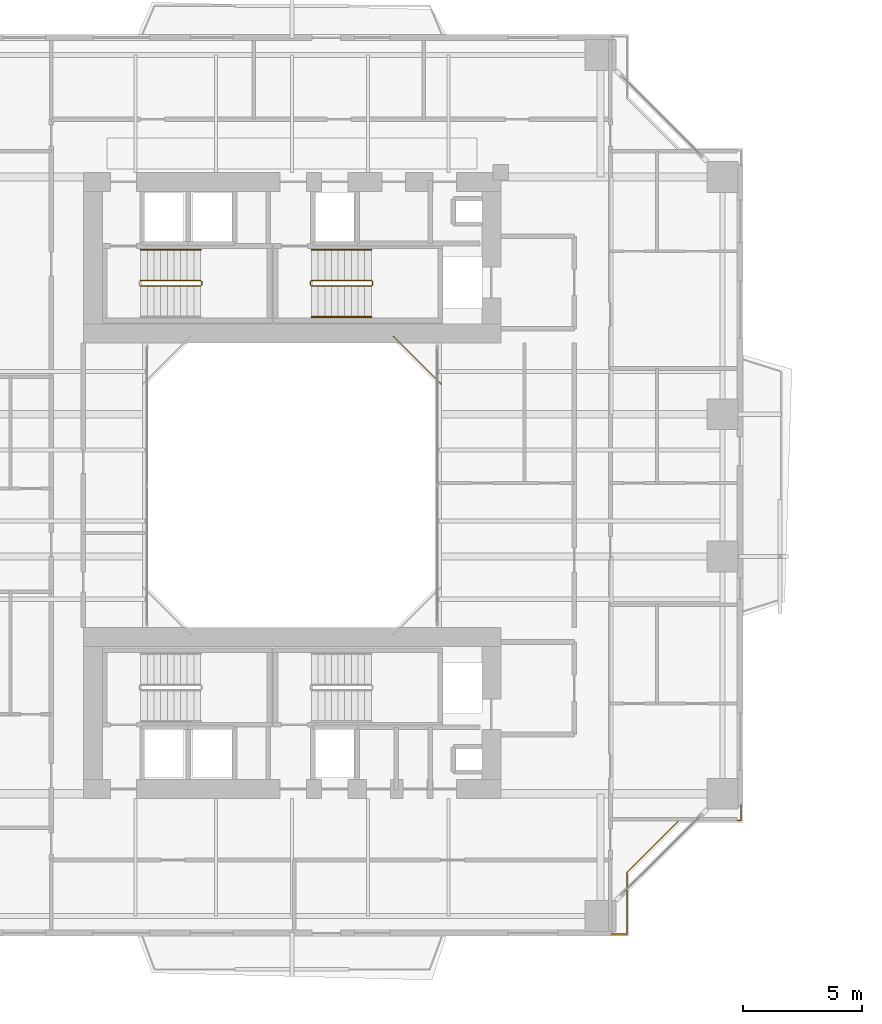
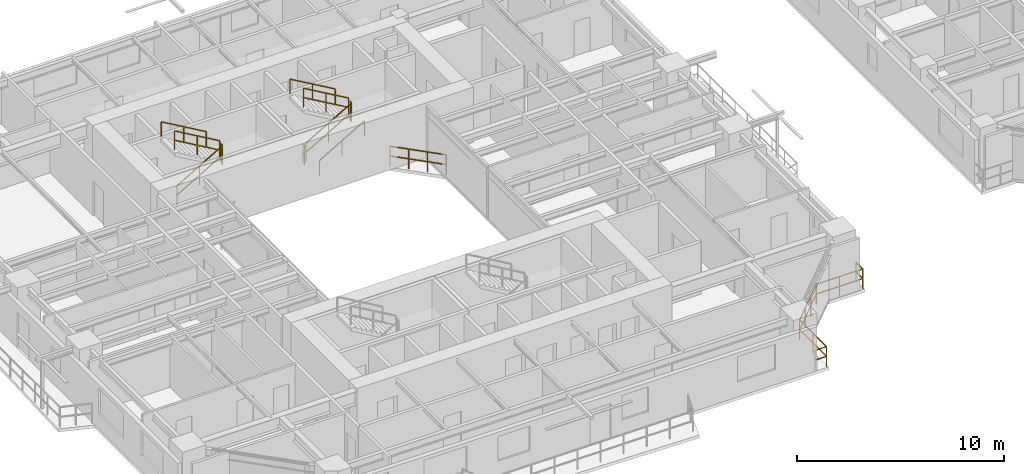
# One storey, part 21 of 24: 12 railings.
"""IFC4 building model written with IfcOpenShell, lengths in metres."""

from ifc_helpers import new_model, si_unit, direction, frame, origin, origin_2d, place, context, subcontext, project, spatial, rectangle, extrude, material, type_object, element, save


model = new_model("IFC4")

# Units and contexts
model_context = context("Model", 3, precision=1e-05, world=origin(), true_north=direction((0.0, 1.0)))
body_context = subcontext(model_context, "Body", "Model", "MODEL_VIEW")
ifc_project = project(units=[si_unit("LENGTHUNIT", "METRE"), si_unit("AREAUNIT", "SQUARE_METRE"), si_unit("VOLUMEUNIT", "CUBIC_METRE"), si_unit("PLANEANGLEUNIT", "RADIAN"), si_unit("MASSUNIT", "GRAM", prefix="KILO"), si_unit("THERMODYNAMICTEMPERATUREUNIT", "KELVIN"), si_unit("POWERUNIT", "WATT")], contexts=[model_context])

# Site, building, storey
site_placement = place(None, origin())
site = spatial("IfcSite", under=ifc_project, at=site_placement, CompositionType="ELEMENT")
building_placement = place(site_placement, origin())
building = spatial("IfcBuilding", under=site, at=building_placement, Name="Qiaomeng Ring Towers", CompositionType="ELEMENT")
storey_placement = place(building_placement, frame((0.0, 0.0, 36.0)))
storey = spatial("IfcBuildingStorey", under=building, at=storey_placement, Name="L09", CompositionType="ELEMENT", Elevation=36.0)

# Railings
ifc_material_1 = material(Name="Low-E pale-green laminated safety glass", Category="glass")
railing_type_1 = type_object("IfcRailingType", Name="ARC-RL-BAL1", PredefinedType="BALUSTRADE", material=ifc_material_1)
railing_1_placement = place(storey_placement, frame((25.280029296875, 27.280029296875, 0.0)))
element("IfcRailing", 1, at=railing_1_placement, inside=storey, type_object=railing_type_1, Name="L09 Balustrade ARC-BAL-WELL1-L09-2", PredefinedType="BALUSTRADE", context=body_context, shape_type="SweptSolid", body=[
    extrude(rectangle(XDim=0.048095703125, YDim=0.048095703125, at=origin_2d()), frame((0.0, 0.0, 1.17578125), z_axis=(-0.707106781187, 0.707106781187, 0.0), x_axis=(-0.707106781187, -0.707106781187, 0.0)), (0.0, 0.0, 1.0), 2.828369140625),
    extrude(rectangle(XDim=0.048095703125, YDim=0.048095703125, at=origin_2d()), frame((0.0, 0.0, 0.60009765625), z_axis=(-0.707106781187, 0.707106781187, 0.0), x_axis=(-0.707106781187, -0.707106781187, 0.0)), (0.0, 0.0, 1.0), 2.828369140625),
    extrude(rectangle(XDim=0.0419921875, YDim=0.0419921875, at=origin_2d()), origin(), (0.0, 0.0, 1.0), 1.15185546875),
    extrude(rectangle(XDim=0.0419921875, YDim=0.0419921875, at=origin_2d()), frame((-0.666748046875, 0.666748046875, 0.0)), (0.0, 0.0, 1.0), 1.15185546875),
    extrude(rectangle(XDim=0.0419921875, YDim=0.0419921875, at=origin_2d()), frame((-1.333251953125, 1.333251953125, 0.0)), (0.0, 0.0, 1.0), 1.15185546875),
    extrude(rectangle(XDim=0.0419921875, YDim=0.0419921875, at=origin_2d()), frame((-2.0, 2.0, 0.0)), (0.0, 0.0, 1.0), 1.15185546875),
])
railing_2_placement = place(storey_placement, frame((32.469970703125, 4.080078125, 0.0)))
element("IfcRailing", 2, at=railing_2_placement, inside=storey, type_object=railing_type_1, Name="L09 Balustrade ARC-BAL-NOTCH1-L09-SE", PredefinedType="BALUSTRADE", context=body_context, shape_type="SweptSolid", body=[
    extrude(rectangle(XDim=0.048095703125, YDim=0.048095703125, at=origin_2d()), frame((0.0, 0.0, 1.17578125), z_axis=(1.0, 0.0, 0.0), x_axis=(0.0, 1.0, 0.0)), (0.0, 0.0, 1.0), 0.650146484375),
    extrude(rectangle(XDim=0.048095703125, YDim=0.048095703125, at=origin_2d()), frame((0.0, 0.0, 0.60009765625), z_axis=(1.0, 0.0, 0.0), x_axis=(0.0, 1.0, 0.0)), (0.0, 0.0, 1.0), 0.650146484375),
    extrude(rectangle(XDim=0.048095703125, YDim=0.048095703125, at=origin_2d()), frame((0.650146484375, 0.0, 1.17578125), z_axis=(0.0, 1.0, 0.0), x_axis=(-1.0, 0.0, 0.0)), (0.0, 0.0, 1.0), 2.599853515625),
    extrude(rectangle(XDim=0.048095703125, YDim=0.048095703125, at=origin_2d()), frame((0.650146484375, 0.0, 0.60009765625), z_axis=(0.0, 1.0, 0.0), x_axis=(-1.0, 0.0, 0.0)), (0.0, 0.0, 1.0), 2.599853515625),
    extrude(rectangle(XDim=0.048095703125, YDim=0.048095703125, at=origin_2d()), frame((0.650146484375, 2.599853515625, 1.17578125), z_axis=(0.707106781187, 0.707106781187, 0.0), x_axis=(-0.707106781187, 0.707106781187, 0.0)), (0.0, 0.0, 1.0), 3.111083984375),
    extrude(rectangle(XDim=0.048095703125, YDim=0.048095703125, at=origin_2d()), frame((0.650146484375, 2.599853515625, 0.60009765625), z_axis=(0.707106781187, 0.707106781187, 0.0), x_axis=(-0.707106781187, 0.707106781187, 0.0)), (0.0, 0.0, 1.0), 3.111083984375),
    extrude(rectangle(XDim=0.048095703125, YDim=0.048095703125, at=origin_2d()), frame((2.85009765625, 4.7998046875, 1.17578125), z_axis=(1.0, 0.0, 0.0), x_axis=(0.0, 1.0, 0.0)), (0.0, 0.0, 1.0), 2.599853515625),
    extrude(rectangle(XDim=0.048095703125, YDim=0.048095703125, at=origin_2d()), frame((2.85009765625, 4.7998046875, 0.60009765625), z_axis=(1.0, 0.0, 0.0), x_axis=(0.0, 1.0, 0.0)), (0.0, 0.0, 1.0), 2.599853515625),
    extrude(rectangle(XDim=0.048095703125, YDim=0.048095703125, at=origin_2d()), frame((5.449951171875, 4.7998046875, 1.17578125), z_axis=(0.0, 1.0, 0.0), x_axis=(-1.0, 0.0, 0.0)), (0.0, 0.0, 1.0), 0.650146484375),
    extrude(rectangle(XDim=0.048095703125, YDim=0.048095703125, at=origin_2d()), frame((5.449951171875, 4.7998046875, 0.60009765625), z_axis=(0.0, 1.0, 0.0), x_axis=(-1.0, 0.0, 0.0)), (0.0, 0.0, 1.0), 0.650146484375),
    extrude(rectangle(XDim=0.0419921875, YDim=0.0419921875, at=origin_2d()), origin(), (0.0, 0.0, 1.0), 1.15185546875),
    extrude(rectangle(XDim=0.0419921875, YDim=0.0419921875, at=origin_2d()), frame((0.650146484375, 0.0, 0.0)), (0.0, 0.0, 1.0), 1.15185546875),
    extrude(rectangle(XDim=0.0419921875, YDim=0.0419921875, at=origin_2d()), frame((0.650146484375, 1.2998046875, 0.0)), (0.0, 0.0, 1.0), 1.15185546875),
    extrude(rectangle(XDim=0.0419921875, YDim=0.0419921875, at=origin_2d()), frame((0.650146484375, 2.599853515625, 0.0)), (0.0, 0.0, 1.0), 1.15185546875),
    extrude(rectangle(XDim=0.0419921875, YDim=0.0419921875, at=origin_2d()), frame((1.383544921875, 3.333251953125, 0.0)), (0.0, 0.0, 1.0), 1.15185546875),
    extrude(rectangle(XDim=0.0419921875, YDim=0.0419921875, at=origin_2d()), frame((2.11669921875, 4.06640625, 0.0)), (0.0, 0.0, 1.0), 1.15185546875),
    extrude(rectangle(XDim=0.0419921875, YDim=0.0419921875, at=origin_2d()), frame((2.85009765625, 4.7998046875, 0.0)), (0.0, 0.0, 1.0), 1.15185546875),
    extrude(rectangle(XDim=0.0419921875, YDim=0.0419921875, at=origin_2d()), frame((4.14990234375, 4.7998046875, 0.0)), (0.0, 0.0, 1.0), 1.15185546875),
    extrude(rectangle(XDim=0.0419921875, YDim=0.0419921875, at=origin_2d()), frame((5.449951171875, 4.7998046875, 0.0)), (0.0, 0.0, 1.0), 1.15185546875),
    extrude(rectangle(XDim=0.0419921875, YDim=0.0419921875, at=origin_2d()), frame((5.449951171875, 5.449951171875, 0.0)), (0.0, 0.0, 1.0), 1.15185546875),
])
ifc_material_2 = material(Name="Galvanised steel", Category="steel")
railing_type_2 = type_object("IfcRailingType", Name="ARC-RL-GUARD", PredefinedType="GUARDRAIL", material=ifc_material_2)
railing_3_placement = place(storey_placement, frame((12.6201171875, 31.39990234375, 0.16259765625)))
element("IfcRailing", 3, at=railing_3_placement, inside=storey, type_object=railing_type_2, Name="L09 ST1 stair guard 1", PredefinedType="GUARDRAIL", context=body_context, shape_type="SweptSolid", body=[
    extrude(rectangle(XDim=0.048095703125, YDim=0.048095703125, at=origin_2d()), frame((0.0, 0.0, 1.1259765625), z_axis=(0.864892226395, 0.0, 0.501957604506), x_axis=(0.0, 1.0, 0.0)), (0.0, 0.0, 1.0), 2.913330078125),
    extrude(rectangle(XDim=0.048095703125, YDim=0.048095703125, at=origin_2d()), frame((0.0, 0.0, 0.574951171875), z_axis=(0.864892226395, 0.0, 0.501957604506), x_axis=(0.0, 1.0, 0.0)), (0.0, 0.0, 1.0), 2.913330078125),
    extrude(rectangle(XDim=0.0419921875, YDim=0.0419921875, at=origin_2d()), origin(), (0.0, 0.0, 1.0), 1.101806640625),
    extrude(rectangle(XDim=0.0419921875, YDim=0.0419921875, at=origin_2d()), frame((1.259765625, 0.0, 0.731201171875)), (0.0, 0.0, 1.0), 1.101806640625),
    extrude(rectangle(XDim=0.0419921875, YDim=0.0419921875, at=origin_2d()), frame((2.519775390625, 0.0, 1.46240234375)), (0.0, 0.0, 1.0), 1.101806640625),
])
railing_4_placement = place(storey_placement, frame((15.18994140625, 31.449951171875, 1.625)))
element("IfcRailing", 4, at=railing_4_placement, inside=storey, type_object=railing_type_2, Name="L09 ST1 stair guard 2", PredefinedType="GUARDRAIL", context=body_context, shape_type="SweptSolid", body=[
    extrude(rectangle(XDim=0.048095703125, YDim=0.048095703125, at=origin_2d()), frame((0.0, 0.0, 1.1259765625), z_axis=(0.0, 1.0, 0.0), x_axis=(-1.0, 0.0, 0.0)), (0.0, 0.0, 1.0), 0.14013671875),
    extrude(rectangle(XDim=0.048095703125, YDim=0.048095703125, at=origin_2d()), frame((0.0, 0.0, 0.574951171875), z_axis=(0.0, 1.0, 0.0), x_axis=(-1.0, 0.0, 0.0)), (0.0, 0.0, 1.0), 0.14013671875),
    extrude(rectangle(XDim=0.0419921875, YDim=0.0419921875, at=origin_2d()), origin(), (0.0, 0.0, 1.0), 1.101806640625),
    extrude(rectangle(XDim=0.0419921875, YDim=0.0419921875, at=origin_2d()), frame((0.0, 0.14013671875, 0.0)), (0.0, 0.0, 1.0), 1.101806640625),
])
railing_5_placement = place(storey_placement, frame((15.139892578125, 31.639892578125, 1.78759765625)))
element("IfcRailing", 5, at=railing_5_placement, inside=storey, type_object=railing_type_2, Name="L09 ST1 stair guard 3", PredefinedType="GUARDRAIL", context=body_context, shape_type="SweptSolid", body=[
    extrude(rectangle(XDim=0.048095703125, YDim=0.048095703125, at=origin_2d()), frame((0.0, 0.0, 1.1259765625), z_axis=(-0.864892226395, 0.0, 0.501957604506), x_axis=(0.0, -1.0, 0.0)), (0.0, 0.0, 1.0), 2.913330078125),
    extrude(rectangle(XDim=0.048095703125, YDim=0.048095703125, at=origin_2d()), frame((0.0, 0.0, 0.574951171875), z_axis=(-0.864892226395, 0.0, 0.501957604506), x_axis=(0.0, -1.0, 0.0)), (0.0, 0.0, 1.0), 2.913330078125),
    extrude(rectangle(XDim=0.0419921875, YDim=0.0419921875, at=origin_2d()), origin(), (0.0, 0.0, 1.0), 1.101806640625),
    extrude(rectangle(XDim=0.0419921875, YDim=0.0419921875, at=origin_2d()), frame((-1.259765625, 0.0, 0.731201171875)), (0.0, 0.0, 1.0), 1.101806640625),
    extrude(rectangle(XDim=0.0419921875, YDim=0.0419921875, at=origin_2d()), frame((-2.519775390625, 0.0, 1.46240234375)), (0.0, 0.0, 1.0), 1.101806640625),
])
railing_6_placement = place(storey_placement, frame((19.820068359375, 31.39990234375, 0.16259765625)))
element("IfcRailing", 6, at=railing_6_placement, inside=storey, type_object=railing_type_2, Name="L09 ST2 stair guard 1", PredefinedType="GUARDRAIL", context=body_context, shape_type="SweptSolid", body=[
    extrude(rectangle(XDim=0.048095703125, YDim=0.048095703125, at=origin_2d()), frame((0.0, 0.0, 1.1259765625), z_axis=(0.864913338283, 0.0, 0.50192122615), x_axis=(0.0, 1.0, 0.0)), (0.0, 0.0, 1.0), 2.91357421875),
    extrude(rectangle(XDim=0.048095703125, YDim=0.048095703125, at=origin_2d()), frame((0.0, 0.0, 0.574951171875), z_axis=(0.864913338283, 0.0, 0.50192122615), x_axis=(0.0, 1.0, 0.0)), (0.0, 0.0, 1.0), 2.91357421875),
    extrude(rectangle(XDim=0.0419921875, YDim=0.0419921875, at=origin_2d()), origin(), (0.0, 0.0, 1.0), 1.101806640625),
    extrude(rectangle(XDim=0.0419921875, YDim=0.0419921875, at=origin_2d()), frame((1.260009765625, 0.0, 0.731201171875)), (0.0, 0.0, 1.0), 1.101806640625),
    extrude(rectangle(XDim=0.0419921875, YDim=0.0419921875, at=origin_2d()), frame((2.52001953125, 0.0, 1.46240234375)), (0.0, 0.0, 1.0), 1.101806640625),
])
railing_7_placement = place(storey_placement, frame((22.389892578125, 31.449951171875, 1.625)))
element("IfcRailing", 7, at=railing_7_placement, inside=storey, type_object=railing_type_2, Name="L09 ST2 stair guard 2", PredefinedType="GUARDRAIL", context=body_context, shape_type="SweptSolid", body=[
    extrude(rectangle(XDim=0.048095703125, YDim=0.048095703125, at=origin_2d()), frame((0.0, 0.0, 1.1259765625), z_axis=(0.0, 1.0, 0.0), x_axis=(-1.0, 0.0, 0.0)), (0.0, 0.0, 1.0), 0.14013671875),
    extrude(rectangle(XDim=0.048095703125, YDim=0.048095703125, at=origin_2d()), frame((0.0, 0.0, 0.574951171875), z_axis=(0.0, 1.0, 0.0), x_axis=(-1.0, 0.0, 0.0)), (0.0, 0.0, 1.0), 0.14013671875),
    extrude(rectangle(XDim=0.0419921875, YDim=0.0419921875, at=origin_2d()), origin(), (0.0, 0.0, 1.0), 1.101806640625),
    extrude(rectangle(XDim=0.0419921875, YDim=0.0419921875, at=origin_2d()), frame((0.0, 0.14013671875, 0.0)), (0.0, 0.0, 1.0), 1.101806640625),
])
railing_8_placement = place(storey_placement, frame((22.340087890625, 31.639892578125, 1.78759765625)))
element("IfcRailing", 8, at=railing_8_placement, inside=storey, type_object=railing_type_2, Name="L09 ST2 stair guard 3", PredefinedType="GUARDRAIL", context=body_context, shape_type="SweptSolid", body=[
    extrude(rectangle(XDim=0.048095703125, YDim=0.048095703125, at=origin_2d()), frame((0.0, 0.0, 1.1259765625), z_axis=(-0.864913338283, 0.0, 0.50192122615), x_axis=(0.0, -1.0, 0.0)), (0.0, 0.0, 1.0), 2.91357421875),
    extrude(rectangle(XDim=0.048095703125, YDim=0.048095703125, at=origin_2d()), frame((0.0, 0.0, 0.574951171875), z_axis=(-0.864913338283, 0.0, 0.50192122615), x_axis=(0.0, -1.0, 0.0)), (0.0, 0.0, 1.0), 2.91357421875),
    extrude(rectangle(XDim=0.0419921875, YDim=0.0419921875, at=origin_2d()), origin(), (0.0, 0.0, 1.0), 1.101806640625),
    extrude(rectangle(XDim=0.0419921875, YDim=0.0419921875, at=origin_2d()), frame((-1.260009765625, 0.0, 0.731201171875)), (0.0, 0.0, 1.0), 1.101806640625),
    extrude(rectangle(XDim=0.0419921875, YDim=0.0419921875, at=origin_2d()), frame((-2.52001953125, 0.0, 1.46240234375)), (0.0, 0.0, 1.0), 1.101806640625),
])
railing_9_placement = place(storey_placement, frame((19.77001953125, 31.449951171875, 0.0)))
element("IfcRailing", 9, at=railing_9_placement, inside=storey, type_object=railing_type_2, Name="L09 ST2 stair guard 4", PredefinedType="GUARDRAIL", context=body_context, shape_type="SweptSolid", body=[
    extrude(rectangle(XDim=0.048095703125, YDim=0.048095703125, at=origin_2d()), frame((0.0, 0.0, 1.1259765625), z_axis=(0.0, 1.0, 0.0), x_axis=(-1.0, 0.0, 0.0)), (0.0, 0.0, 1.0), 0.14013671875),
    extrude(rectangle(XDim=0.048095703125, YDim=0.048095703125, at=origin_2d()), frame((0.0, 0.0, 0.574951171875), z_axis=(0.0, 1.0, 0.0), x_axis=(-1.0, 0.0, 0.0)), (0.0, 0.0, 1.0), 0.14013671875),
    extrude(rectangle(XDim=0.0419921875, YDim=0.0419921875, at=origin_2d()), origin(), (0.0, 0.0, 1.0), 1.101806640625),
    extrude(rectangle(XDim=0.0419921875, YDim=0.0419921875, at=origin_2d()), frame((0.0, 0.14013671875, 0.0)), (0.0, 0.0, 1.0), 1.101806640625),
])
ifc_material_3 = material(Name="Stainless steel 316", Category="steel")
railing_type_3 = type_object("IfcRailingType", Name="ARC-RL-HAND", PredefinedType="HANDRAIL", material=ifc_material_3)
railing_10_placement = place(storey_placement, frame((15.139892578125, 32.93994140625, 1.78759765625)))
element("IfcRailing", 10, at=railing_10_placement, inside=storey, type_object=railing_type_3, Name="L09 ST1 stair handrail 2", PredefinedType="HANDRAIL", context=body_context, shape_type="SweptSolid", body=[
    extrude(rectangle(XDim=0.048095703125, YDim=0.048095703125, at=origin_2d()), frame((0.0, 0.0, 0.8759765625), z_axis=(-0.864892226395, 0.0, 0.501957604506), x_axis=(0.0, -1.0, 0.0)), (0.0, 0.0, 1.0), 2.913330078125),
    extrude(rectangle(XDim=0.0419921875, YDim=0.0419921875, at=origin_2d()), origin(), (0.0, 0.0, 1.0), 0.851806640625),
    extrude(rectangle(XDim=0.0419921875, YDim=0.0419921875, at=origin_2d()), frame((-1.259765625, 0.0, 0.731201171875)), (0.0, 0.0, 1.0), 0.851806640625),
    extrude(rectangle(XDim=0.0419921875, YDim=0.0419921875, at=origin_2d()), frame((-2.519775390625, 0.0, 1.46240234375)), (0.0, 0.0, 1.0), 0.851806640625),
])
railing_11_placement = place(storey_placement, frame((19.820068359375, 30.10009765625, 0.16259765625)))
element("IfcRailing", 11, at=railing_11_placement, inside=storey, type_object=railing_type_3, Name="L09 ST2 stair handrail 1", PredefinedType="HANDRAIL", context=body_context, shape_type="SweptSolid", body=[
    extrude(rectangle(XDim=0.048095703125, YDim=0.048095703125, at=origin_2d()), frame((0.0, 0.0, 0.8759765625), z_axis=(0.864913338283, 0.0, 0.50192122615), x_axis=(0.0, 1.0, 0.0)), (0.0, 0.0, 1.0), 2.91357421875),
    extrude(rectangle(XDim=0.0419921875, YDim=0.0419921875, at=origin_2d()), origin(), (0.0, 0.0, 1.0), 0.851806640625),
    extrude(rectangle(XDim=0.0419921875, YDim=0.0419921875, at=origin_2d()), frame((1.260009765625, 0.0, 0.731201171875)), (0.0, 0.0, 1.0), 0.851806640625),
    extrude(rectangle(XDim=0.0419921875, YDim=0.0419921875, at=origin_2d()), frame((2.52001953125, 0.0, 1.46240234375)), (0.0, 0.0, 1.0), 0.851806640625),
])
railing_12_placement = place(storey_placement, frame((22.340087890625, 32.93994140625, 1.78759765625)))
element("IfcRailing", 12, at=railing_12_placement, inside=storey, type_object=railing_type_3, Name="L09 ST2 stair handrail 2", PredefinedType="HANDRAIL", context=body_context, shape_type="SweptSolid", body=[
    extrude(rectangle(XDim=0.048095703125, YDim=0.048095703125, at=origin_2d()), frame((0.0, 0.0, 0.8759765625), z_axis=(-0.864913338283, 0.0, 0.50192122615), x_axis=(0.0, -1.0, 0.0)), (0.0, 0.0, 1.0), 2.91357421875),
    extrude(rectangle(XDim=0.0419921875, YDim=0.0419921875, at=origin_2d()), origin(), (0.0, 0.0, 1.0), 0.851806640625),
    extrude(rectangle(XDim=0.0419921875, YDim=0.0419921875, at=origin_2d()), frame((-1.260009765625, 0.0, 0.731201171875)), (0.0, 0.0, 1.0), 0.851806640625),
    extrude(rectangle(XDim=0.0419921875, YDim=0.0419921875, at=origin_2d()), frame((-2.52001953125, 0.0, 1.46240234375)), (0.0, 0.0, 1.0), 0.851806640625),
])

save(model, "model.ifc")
